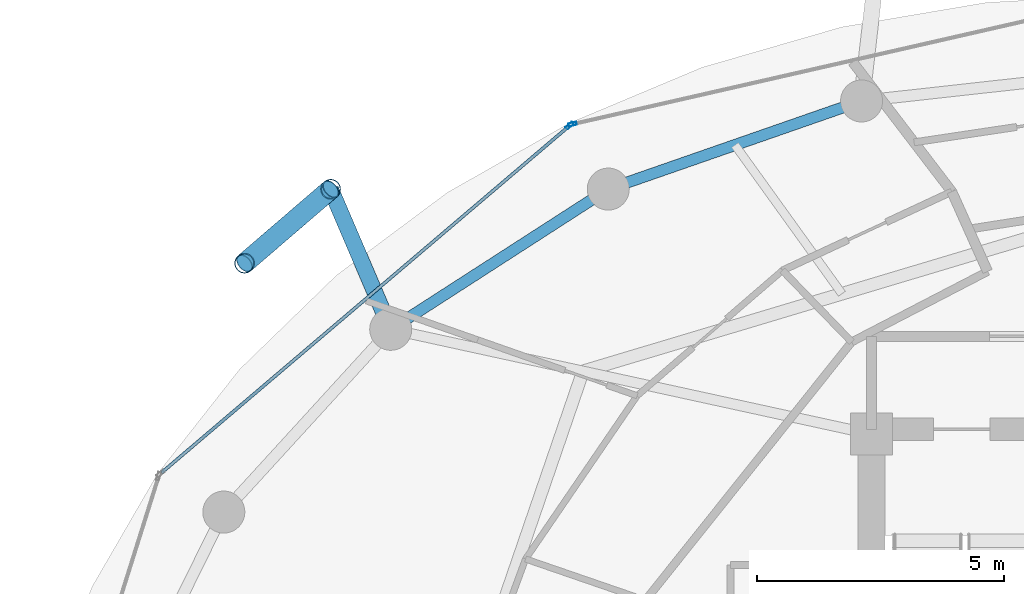
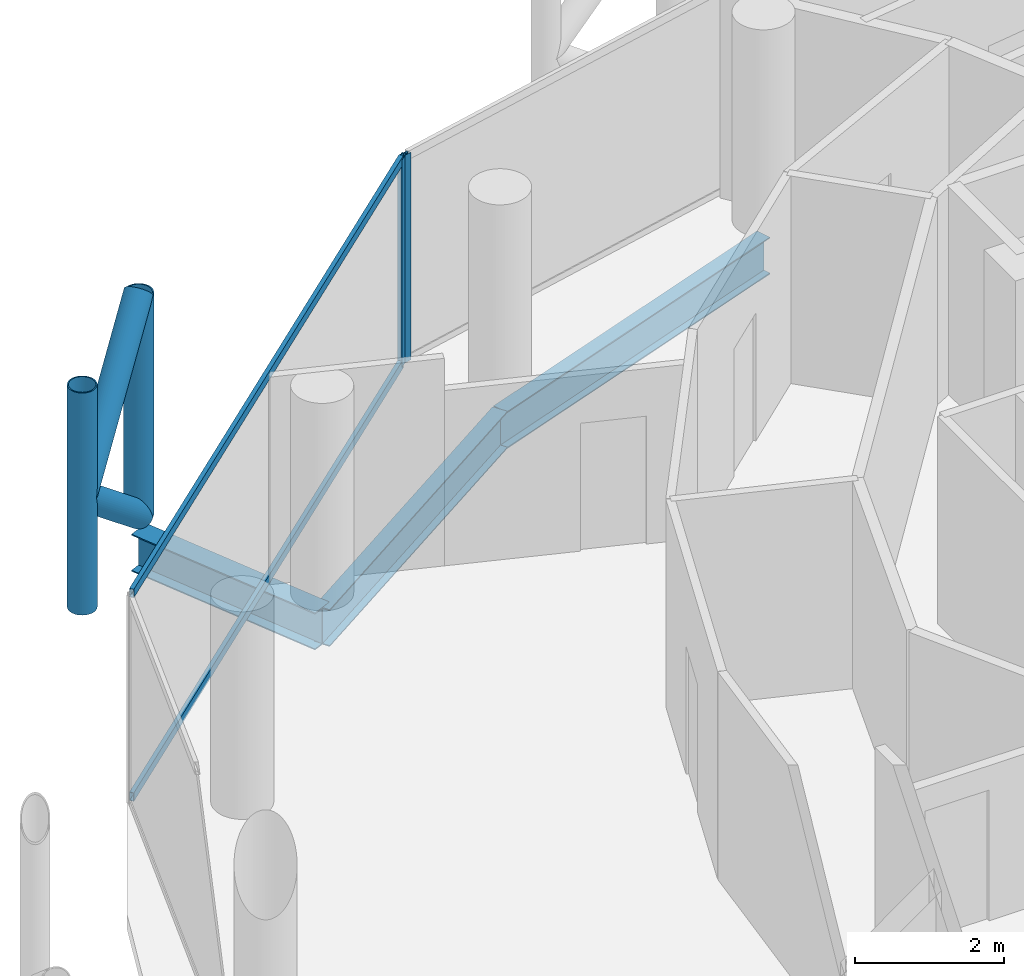
# One storey, part 18 of 27: 8 members, 3 beams, 2 elements without a shape of their own.
"""IFC4 building model written with IfcOpenShell, lengths in metres."""

from ifc_helpers import new_model, si_unit, direction, frame, origin, origin_2d, place, context, subcontext, project, spatial, hollow_rectangle, hollow_circle, i_section, extrude, material, layer, layer_set, material_profile, profile_set, type_object, element, aggregate, save


model = new_model("IFC4")

# Units and contexts
model_context = context("Model", 3, precision=1e-05, world=origin(), true_north=direction((0.0, 1.0)))
body_context = subcontext(model_context, "Body", "Model", "MODEL_VIEW")
ifc_project = project(units=[si_unit("LENGTHUNIT", "METRE"), si_unit("AREAUNIT", "SQUARE_METRE"), si_unit("VOLUMEUNIT", "CUBIC_METRE"), si_unit("PLANEANGLEUNIT", "RADIAN"), si_unit("MASSUNIT", "GRAM", prefix="KILO")], contexts=[model_context])

# Site, building, storey
site_placement = place(None, origin())
site = spatial("IfcSite", under=ifc_project, at=site_placement, CompositionType="ELEMENT")
building_placement = place(site_placement, origin())
building = spatial("IfcBuilding", under=site, at=building_placement, Name="Nuhasar Tower", CompositionType="ELEMENT")
storey_placement = place(building_placement, frame((0.0, 0.0, 211.800048828125)))
storey = spatial("IfcBuildingStorey", under=building, at=storey_placement, Name="L51", CompositionType="ELEMENT", Elevation=211.800048828125)

# Beams
ifc_material_1 = material(Name="Steel S355", Category="steel")
ifc_material_profile_1 = material_profile(ifc_material_1, i_section(OverallWidth=0.22802734375, OverallDepth=0.60791015625, WebThickness=0.01123046875, FlangeThickness=0.017333984375, at=origin_2d()), Name="W24X76")
ifc_profile_set_1 = profile_set([ifc_material_profile_1], Name="Steel S355")
beam_type_1 = type_object("IfcBeamType", Name="BM-RING-W24X76", PredefinedType="SPANDREL", material=ifc_profile_set_1)
beam_1_placement = place(storey_placement, frame((33.5, 44.0419921875, -0.5439453125), z_axis=(-0.944476764686, -0.328578211342, 0.0), x_axis=(0.328578211342, -0.944476764686, 0.0)))
element("IfcBeam", 1, at=beam_1_placement, inside=storey, type_object=beam_type_1, Name="L51 Perimeter Ring Spandrel 08", PredefinedType="SPANDREL", context=body_context, shape_type="SweptSolid", body=[
    extrude(i_section(OverallWidth=0.22802734375, OverallDepth=0.60791015625, WebThickness=0.01123046875, FlangeThickness=0.017333984375, at=origin_2d()), origin(), (0.0, 0.0, 1.0), 5.42626953125),
])
beam_2_placement = place(storey_placement, frame((28.375, 42.259033203125, -0.5439453125), z_axis=(-0.840502144969, -0.541808217272, 0.0), x_axis=(0.541808217272, -0.840502144969, 0.0)))
element("IfcBeam", 2, at=beam_2_placement, inside=storey, type_object=beam_type_1, Name="L51 Perimeter Ring Spandrel 09", PredefinedType="SPANDREL", context=body_context, shape_type="SweptSolid", body=[
    extrude(i_section(OverallWidth=0.22802734375, OverallDepth=0.60791015625, WebThickness=0.01123046875, FlangeThickness=0.017333984375, at=origin_2d()), origin(), (0.0, 0.0, 1.0), 5.236083984375),
])
ifc_material_profile_2 = material_profile(ifc_material_1, i_section(OverallWidth=0.323974609375, OverallDepth=0.611083984375, WebThickness=0.0126953125, FlangeThickness=0.01904296875, at=origin_2d()), Name="W24X104")
ifc_profile_set_2 = profile_set([ifc_material_profile_2], Name="Steel S355")
beam_type_2 = type_object("IfcBeamType", Name="BM-TIE-W24X104", PredefinedType="BEAM", material=ifc_profile_set_2)
beam_3_placement = place(storey_placement, frame((23.97412109375, 39.422119140625, -0.545166015625), z_axis=(-0.393680429682, 0.919247365667, 0.0), x_axis=(-0.919247365667, -0.393680429682, 0.0)))
element("IfcBeam", 3, at=beam_3_placement, inside=storey, type_object=beam_type_2, Name="L51 Exoskeleton Node Tie Beam 05", PredefinedType="BEAM", context=body_context, shape_type="SweptSolid", body=[
    extrude(i_section(OverallWidth=0.323974609375, OverallDepth=0.611083984375, WebThickness=0.0126953125, FlangeThickness=0.01904296875, at=origin_2d()), origin(), (0.0, 0.0, 1.0), 3.083984375),
])

# Curtain wall, member
ifc_material_2 = material(Name="Aluminium 6063-T6", Category="aluminium")
ifc_layer = layer(ifc_material_2, 0.18994140625)
ifc_layer_set = layer_set([ifc_layer], Name="Aluminium 6063-T6")
curtain_wall_type = type_object("IfcCurtainWallType", Name="CW-Z3-RES", PredefinedType="NOTDEFINED", material=ifc_layer_set)
curtain_wall_1_placement = place(storey_placement, origin())
curtain_wall_1 = element("IfcCurtainWall", 4, at=curtain_wall_1_placement, inside=storey, type_object=curtain_wall_type, Name="L51 Unitised Curtain Wall 04", PredefinedType="NOTDEFINED")
ifc_material_profile_3 = material_profile(ifc_material_2, hollow_rectangle(XDim=0.06494140625, YDim=0.169921875, WallThickness=0.0048828125, at=origin_2d()), Name="CWM-4")
ifc_profile_set_3 = profile_set([ifc_material_profile_3], Name="Aluminium 6063-T6")
member_type_1 = type_object("IfcMemberType", Name="CW-MUL-S4", PredefinedType="MULLION", material=ifc_profile_set_3)
member_1_placement = place(storey_placement, frame((27.651611328125, 43.5732421875, 0.0), z_axis=(0.0, 0.0, 1.0), x_axis=(0.222243176313, -0.974991266926, 0.0)))
member_1 = element("IfcMember", 5, at=member_1_placement, type_object=member_type_1, Name="CW-Z3 mullion 2", PredefinedType="MULLION", context=body_context, shape_type="SweptSolid", body=[
    extrude(hollow_rectangle(XDim=0.06494140625, YDim=0.169921875, WallThickness=0.0048828125, at=origin_2d()), origin(), (0.0, 0.0, 1.0), 3.409912109375),
])
aggregate(curtain_wall_1, [member_1])

# Curtain wall, members
curtain_wall_2_placement = place(storey_placement, origin())
curtain_wall_2 = element("IfcCurtainWall", 6, at=curtain_wall_2_placement, inside=storey, type_object=curtain_wall_type, Name="L51 Unitised Curtain Wall 05", PredefinedType="NOTDEFINED")
member_2_placement = place(storey_placement, frame((27.59521484375, 43.544921875, 0.0), z_axis=(0.0, 0.0, 1.0), x_axis=(0.64789521578, -0.761729472562, 0.0)))
member_2 = element("IfcMember", 7, at=member_2_placement, type_object=member_type_1, Name="CW-Z3 mullion 1", PredefinedType="MULLION", context=body_context, shape_type="SweptSolid", body=[
    extrude(hollow_rectangle(XDim=0.06494140625, YDim=0.169921875, WallThickness=0.0048828125, at=origin_2d()), origin(), (0.0, 0.0, 1.0), 3.409912109375),
])
ifc_material_profile_4 = material_profile(ifc_material_2, hollow_rectangle(XDim=0.06494140625, YDim=0.139892578125, WallThickness=0.00439453125, at=origin_2d()), Name="CWT-4")
ifc_profile_set_4 = profile_set([ifc_material_profile_4], Name="Aluminium 6063-T6")
member_type_2 = type_object("IfcMemberType", Name="CW-TRN-S4", PredefinedType="USERDEFINED", material=ifc_profile_set_4)
member_3_placement = place(storey_placement, frame((27.570556640625, 43.52392578125, 0.032470703125), z_axis=(-0.761730809511, -0.647893643928, 0.0), x_axis=(0.647893643928, -0.761730809511, 0.0)))
member_3 = element("IfcMember", 8, at=member_3_placement, type_object=member_type_2, Name="CW-Z3 transom 1.1", ObjectType="TRANSOM", PredefinedType="USERDEFINED", context=body_context, shape_type="SweptSolid", body=[
    extrude(hollow_rectangle(XDim=0.06494140625, YDim=0.139892578125, WallThickness=0.00439453125, at=origin_2d()), origin(), (0.0, 0.0, 1.0), 10.806884765625),
])
member_4_placement = place(storey_placement, frame((27.570556640625, 43.52392578125, 3.37744140625), z_axis=(-0.761730809511, -0.647893643928, 0.0), x_axis=(0.647893643928, -0.761730809511, 0.0)))
member_4 = element("IfcMember", 9, at=member_4_placement, type_object=member_type_2, Name="CW-Z3 transom 1.2", ObjectType="TRANSOM", PredefinedType="USERDEFINED", context=body_context, shape_type="SweptSolid", body=[
    extrude(hollow_rectangle(XDim=0.06494140625, YDim=0.139892578125, WallThickness=0.00439453125, at=origin_2d()), origin(), (0.0, 0.0, 1.0), 10.806884765625),
])
aggregate(curtain_wall_2, [member_2, member_3, member_4])

# Members
ifc_material_3 = material(Name="Steel S460", Category="steel")
ifc_material_profile_5 = material_profile(ifc_material_3, hollow_circle(Radius=0.203125, WallThickness=0.01904296875, at=origin_2d()), Name="HSS406.4X19.1")
ifc_profile_set_5 = profile_set([ifc_material_profile_5], Name="Steel S460")
member_type_3 = type_object("IfcMemberType", Name="EXO-BRONZE-406", PredefinedType="BRACE", material=ifc_profile_set_5)
for number, where, z_axis, x_axis, name in (
    (10, (22.760009765625, 42.257080078125, 0.0), (0.0, 0.0, 1.0), (1.0, 0.0, 0.0), "L51 Exoskeleton Chord Column EC-05A"),
    (11, (21.01611328125, 40.758056640625, 0.0), (0.0, 0.0, 1.0), (1.0, 0.0, 0.0), "L51 Exoskeleton Chord Column EC-05B"),
):
    element("IfcMember", number, at=place(storey_placement, frame(where, z_axis=z_axis, x_axis=x_axis)), inside=storey, type_object=member_type_3, Name=name, PredefinedType="BRACE", context=body_context, shape_type="SweptSolid", body=[
        extrude(hollow_circle(Radius=0.203125, WallThickness=0.01904296875, at=origin_2d()), origin(), (0.0, 0.0, 1.0), 3.64990234375),
    ])
for number, where, z_axis, x_axis, name in (
    (12, (22.760009765625, 42.257080078125, 0.0), (-0.594018535389, -0.510608120858, 0.621627964725), (0.65185738425, -0.758341579104, 0.0), "L51 Bronze Diagrid Brace W1-05"),
    (13, (21.01611328125, 40.758056640625, 1.824951171875), (0.594018535389, 0.510608120858, 0.621627964725), (-0.65185738425, 0.758341579104, 0.0), "L51 Bronze Diagrid Brace W2-05"),
):
    element("IfcMember", number, at=place(storey_placement, frame(where, z_axis=z_axis, x_axis=x_axis)), inside=storey, type_object=member_type_3, Name=name, PredefinedType="BRACE", context=body_context, shape_type="SweptSolid", body=[
        extrude(hollow_circle(Radius=0.203125, WallThickness=0.01904296875, at=origin_2d()), origin(), (0.0, 0.0, 1.0), 2.935791015625),
    ])

save(model, "model.ifc")
